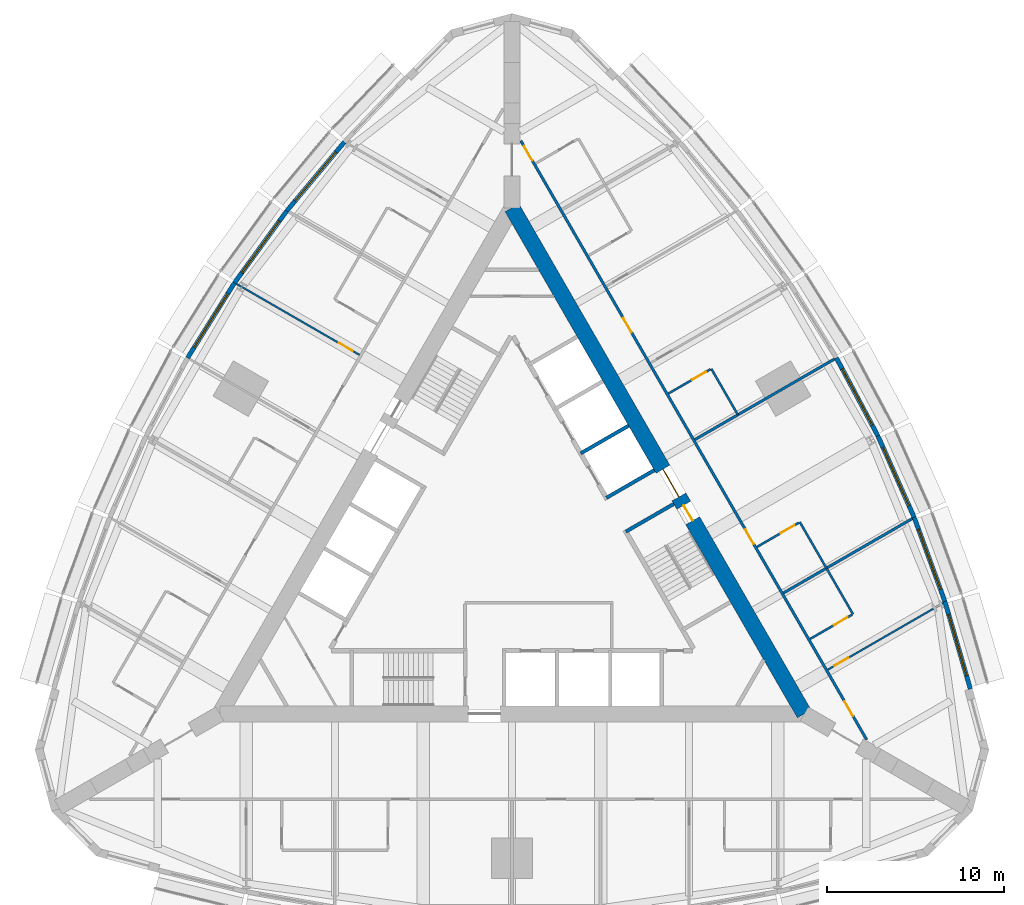
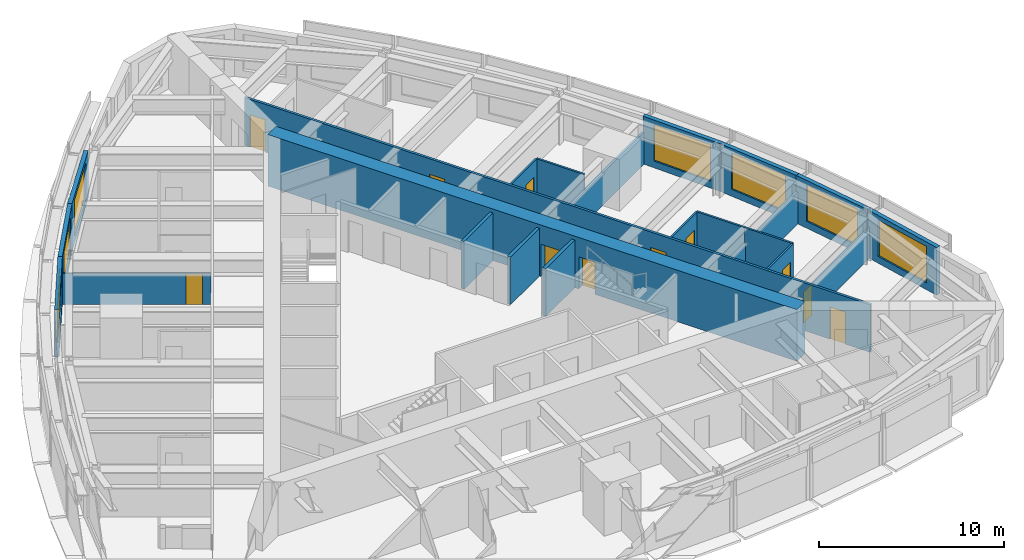
# One storey, part 12 of 15: 22 walls, 11 doors, 7 windows, 18 openings.
"""IFC4 building model written with IfcOpenShell, lengths in metres."""

from ifc_helpers import new_model, si_unit, direction, frame, frame_2d, origin, place, context, subcontext, project, spatial, rectangle, extrude, material, layer, layer_set, type_object, element, fill, save


model = new_model("IFC4")

# Units and contexts
model_context = context("Model", 3, precision=1e-05, world=origin(), true_north=direction((0.0, 1.0)))
body_context = subcontext(model_context, "Body", "Model", "MODEL_VIEW")
ifc_project = project(units=[si_unit("LENGTHUNIT", "METRE"), si_unit("AREAUNIT", "SQUARE_METRE"), si_unit("VOLUMEUNIT", "CUBIC_METRE"), si_unit("PLANEANGLEUNIT", "RADIAN"), si_unit("MASSUNIT", "GRAM", prefix="KILO")], contexts=[model_context])

# Site, building, storey
site_placement = place(None, origin())
site = spatial("IfcSite", under=ifc_project, at=site_placement, CompositionType="ELEMENT")
building_placement = place(site_placement, origin())
building = spatial("IfcBuilding", under=site, at=building_placement, Name="Trikona Tower", CompositionType="ELEMENT")
storey_placement = place(building_placement, frame((0.0, 0.0, 186.10009765625)))
storey = spatial("IfcBuildingStorey", under=building, at=storey_placement, Name="L50", CompositionType="ELEMENT", Elevation=186.10009765625)

# Wall
ifc_material_1 = material(Name="Metal stud and cement board", Category="gypsum")
ifc_layer_1 = layer(ifc_material_1, 0.1201171875)
ifc_layer_set_1 = layer_set([ifc_layer_1], Name="Bathroom wall 120")
wall_type_1 = type_object("IfcWallType", Name="Bathroom wall 120", PredefinedType="PLUMBINGWALL", material=ifc_layer_set_1)
wall_1_placement = place(storey_placement, frame((19.25341796875, -3.895263671875, 0.0), z_axis=(0.0, 0.0, 1.0), x_axis=(-0.499990139034, 0.866031096941, 0.0)))
element("IfcWall", 1, at=wall_1_placement, inside=storey, type_object=wall_type_1, Name="Bathroom wall 5005.1", PredefinedType="PLUMBINGWALL", context=body_context, shape_type="SweptSolid", body=[
    extrude(rectangle(XDim=3.0, YDim=0.1201171875, at=frame_2d((1.5, 0.0))), origin(), (0.0, 0.0, 1.0), 3.14990234375),
])

# Wall, opening, door
wall_2_placement = place(storey_placement, frame((16.82861328125, -5.295166015625, 0.0), z_axis=(0.0, 0.0, 1.0), x_axis=(0.866035715982, 0.499982138324, 0.0)))
wall_2 = element("IfcWall", 2, at=wall_2_placement, inside=storey, type_object=wall_type_1, Name="Bathroom wall 5005.1", PredefinedType="PLUMBINGWALL", context=body_context, shape_type="SweptSolid", body=[
    extrude(rectangle(XDim=2.73974609375, YDim=0.1201171875, at=frame_2d((1.369873046875, 0.0))), origin(), (0.0, 0.0, 1.0), 3.14990234375),
])
opening_1_placement = place(wall_2_placement, frame((1.550048828125, 0.0, 0.0)))
opening_1 = element("IfcOpeningElement", 3, at=opening_1_placement, cuts=wall_2, Name="Opening D2", PredefinedType="OPENING", context=body_context, shape_type="SweptSolid", body=[
    extrude(rectangle(XDim=0.89990234375, YDim=2.1298828125, at=frame_2d((0.449951171875, 1.06494140625))), frame((0.0, 0.070068359375, 0.0), z_axis=(0.0, -1.0, 0.0), x_axis=(1.0, 0.0, 0.0)), (0.0, 0.0, 1.0), 0.14013671875),
])
ifc_material_2 = material(Name="Steel door frame with solid-core timber leaf", Category="steel")
door_type_1 = type_object("IfcDoorType", Name="Bathroom door 900x2130", OperationType="SLIDING_TO_LEFT", PredefinedType="DOOR", material=ifc_material_2)
door_1_placement = place(opening_1_placement, origin())
door_1 = element("IfcDoor", 4, at=door_1_placement, inside=storey, type_object=door_type_1, Name="Bathroom door 5005.1", OperationType="SLIDING_TO_LEFT", OverallHeight=2.1298828125, OverallWidth=0.89990234375, PredefinedType="DOOR", context=body_context, shape_type="SweptSolid", body=[
    extrude(rectangle(XDim=0.89990234375, YDim=2.1298828125, at=frame_2d((0.449951171875, 1.06494140625))), frame((0.0, 0.02490234375, 0.0), z_axis=(0.0, -1.0, 0.0), x_axis=(1.0, 0.0, 0.0)), (0.0, 0.0, 1.0), 0.050048828125),
])
fill(opening_1, door_1)

# Wall
wall_3_placement = place(storey_placement, frame((17.75341796875, -1.297119140625, 0.0), z_axis=(0.0, 0.0, 1.0), x_axis=(-0.499990139034, 0.866031096941, 0.0)))
element("IfcWall", 5, at=wall_3_placement, inside=storey, type_object=wall_type_1, Name="Bathroom wall 5006", PredefinedType="PLUMBINGWALL", context=body_context, shape_type="SweptSolid", body=[
    extrude(rectangle(XDim=3.0, YDim=0.1201171875, at=frame_2d((1.5, 0.0))), origin(), (0.0, 0.0, 1.0), 3.14990234375),
])

# Wall, opening, door
wall_4_placement = place(storey_placement, frame((13.82861328125, -0.09912109375, 0.0), z_axis=(0.0, 0.0, 1.0), x_axis=(0.865997131366, 0.500048966069, 0.0)))
wall_4 = element("IfcWall", 6, at=wall_4_placement, inside=storey, type_object=wall_type_1, Name="Bathroom wall 5006", PredefinedType="PLUMBINGWALL", context=body_context, shape_type="SweptSolid", body=[
    extrude(rectangle(XDim=2.739990234375, YDim=0.1201171875, at=frame_2d((1.3701171875, 0.0))), origin(), (0.0, 0.0, 1.0), 3.14990234375),
])
opening_2_placement = place(wall_4_placement, frame((1.550048828125, 0.0, 0.0)))
opening_2 = element("IfcOpeningElement", 7, at=opening_2_placement, cuts=wall_4, Name="Opening D2", PredefinedType="OPENING", context=body_context, shape_type="SweptSolid", body=[
    extrude(rectangle(XDim=0.89990234375, YDim=2.1298828125, at=frame_2d((0.449951171875, 1.06494140625))), frame((0.0, 0.070068359375, 0.0), z_axis=(0.0, -1.0, 0.0), x_axis=(1.0, 0.0, 0.0)), (0.0, 0.0, 1.0), 0.14013671875),
])
door_2_placement = place(opening_2_placement, origin())
door_2 = element("IfcDoor", 8, at=door_2_placement, inside=storey, type_object=door_type_1, Name="Bathroom door 5006", OperationType="SLIDING_TO_LEFT", OverallHeight=2.1298828125, OverallWidth=0.89990234375, PredefinedType="DOOR", context=body_context, shape_type="SweptSolid", body=[
    extrude(rectangle(XDim=0.89990234375, YDim=2.1298828125, at=frame_2d((0.449951171875, 1.06494140625))), frame((0.0, 0.02490234375, 0.0), z_axis=(0.0, -1.0, 0.0), x_axis=(1.0, 0.0, 0.0)), (0.0, 0.0, 1.0), 0.050048828125),
])
fill(opening_2, door_2)

# Wall
wall_5_placement = place(storey_placement, frame((12.75341796875, 7.363037109375, 0.0), z_axis=(0.0, 0.0, 1.0), x_axis=(-0.499990139034, 0.866031096941, 0.0)))
element("IfcWall", 9, at=wall_5_placement, inside=storey, type_object=wall_type_1, Name="Bathroom wall 5007.1", PredefinedType="PLUMBINGWALL", context=body_context, shape_type="SweptSolid", body=[
    extrude(rectangle(XDim=3.0, YDim=0.1201171875, at=frame_2d((1.5, 0.0))), origin(), (0.0, 0.0, 1.0), 3.14990234375),
])

# Wall, opening, door
wall_6_placement = place(storey_placement, frame((8.82861328125, 8.561279296875, 0.0), z_axis=(0.0, 0.0, 1.0), x_axis=(0.866035715982, 0.499982138324, 0.0)))
wall_6 = element("IfcWall", 10, at=wall_6_placement, inside=storey, type_object=wall_type_1, Name="Bathroom wall 5007.1", PredefinedType="PLUMBINGWALL", context=body_context, shape_type="SweptSolid", body=[
    extrude(rectangle(XDim=2.73974609375, YDim=0.1201171875, at=frame_2d((1.369873046875, 0.0))), origin(), (0.0, 0.0, 1.0), 3.14990234375),
])
opening_3_placement = place(wall_6_placement, frame((1.550048828125, 0.0, 0.0)))
opening_3 = element("IfcOpeningElement", 11, at=opening_3_placement, cuts=wall_6, Name="Opening D2", PredefinedType="OPENING", context=body_context, shape_type="SweptSolid", body=[
    extrude(rectangle(XDim=0.89990234375, YDim=2.1298828125, at=frame_2d((0.449951171875, 1.06494140625))), frame((0.0, 0.070068359375, 0.0), z_axis=(0.0, -1.0, 0.0), x_axis=(1.0, 0.0, 0.0)), (0.0, 0.0, 1.0), 0.14013671875),
])
door_3_placement = place(opening_3_placement, origin())
door_3 = element("IfcDoor", 12, at=door_3_placement, inside=storey, type_object=door_type_1, Name="Bathroom door 5007.1", OperationType="SLIDING_TO_LEFT", OverallHeight=2.1298828125, OverallWidth=0.89990234375, PredefinedType="DOOR", context=body_context, shape_type="SweptSolid", body=[
    extrude(rectangle(XDim=0.89990234375, YDim=2.1298828125, at=frame_2d((0.449951171875, 1.06494140625))), frame((0.0, 0.02490234375, 0.0), z_axis=(0.0, -1.0, 0.0), x_axis=(1.0, 0.0, 0.0)), (0.0, 0.0, 1.0), 0.050048828125),
])
fill(opening_3, door_3)

# Wall, openings, doors
ifc_material_3 = material(Name="Concrete f'c 10000 psi", Category="concrete")
ifc_layer_2 = layer(ifc_material_3, 0.89990234375)
ifc_layer_set_2 = layer_set([ifc_layer_2], Name="Core wall 900")
wall_type_2 = type_object("IfcWallType", Name="Core wall 900", PredefinedType="SHEAR", material=ifc_layer_set_2)
wall_7_placement = place(storey_placement, frame((16.5, -9.5263671875, 0.0), z_axis=(0.0, 0.0, 1.0), x_axis=(-0.499999749417, 0.866025548458, 0.0)))
wall_7 = element("IfcWall", 13, at=wall_7_placement, inside=storey, type_object=wall_type_2, Name="Core wall B", PredefinedType="SHEAR", context=body_context, shape_type="SweptSolid", body=[
    extrude(rectangle(XDim=33.0, YDim=0.89990234375, at=frame_2d((16.5, 0.0))), origin(), (0.0, 0.0, 1.0), 3.39990234375),
])
opening_4_placement = place(wall_7_placement, frame((14.14990234375, 0.0, 0.0)))
opening_4 = element("IfcOpeningElement", 14, at=opening_4_placement, cuts=wall_7, Name="Opening D6", PredefinedType="OPENING", context=body_context, shape_type="SweptSolid", body=[
    extrude(rectangle(XDim=1.800048828125, YDim=2.1298828125, at=frame_2d((0.89990234375, 1.06494140625))), frame((0.0, 0.4599609375, 0.0), z_axis=(0.0, -1.0, 0.0), x_axis=(1.0, 0.0, 0.0)), (0.0, 0.0, 1.0), 0.919921875),
])
opening_5_placement = place(wall_7_placement, frame((12.60009765625, 0.0, 0.0)))
opening_5 = element("IfcOpeningElement", 15, at=opening_5_placement, cuts=wall_7, Name="Opening D5", PredefinedType="OPENING", context=body_context, shape_type="SweptSolid", body=[
    extrude(rectangle(XDim=1.0, YDim=2.1298828125, at=frame_2d((0.5, 1.06494140625))), frame((0.0, 0.4599609375, 0.0), z_axis=(0.0, -1.0, 0.0), x_axis=(1.0, 0.0, 0.0)), (0.0, 0.0, 1.0), 0.919921875),
])
ifc_material_4 = material(Name="Hollow metal door and frame", Category="steel")
door_type_2 = type_object("IfcDoorType", Name="Lobby door pair 1800x2130", OperationType="DOUBLE_DOOR_SINGLE_SWING", PredefinedType="DOOR", material=ifc_material_4)
door_4_placement = place(opening_4_placement, origin())
door_4 = element("IfcDoor", 16, at=door_4_placement, inside=storey, type_object=door_type_2, Name="Lift lobby door B", OperationType="DOUBLE_DOOR_SINGLE_SWING", OverallHeight=2.1298828125, OverallWidth=1.800048828125, PredefinedType="DOOR", context=body_context, shape_type="SweptSolid", body=[
    extrude(rectangle(XDim=1.800048828125, YDim=2.1298828125, at=frame_2d((0.89990234375, 1.06494140625))), frame((0.0, 0.02490234375, 0.0), z_axis=(0.0, -1.0, 0.0), x_axis=(1.0, 0.0, 0.0)), (0.0, 0.0, 1.0), 0.050048828125),
])
fill(opening_4, door_4)
ifc_material_5 = material(Name="Hollow metal door and frame", Category="steel")
door_type_3 = type_object("IfcDoorType", Name="Stair door 1000x2130", OperationType="SINGLE_SWING_LEFT", PredefinedType="DOOR", material=ifc_material_5)
door_5_placement = place(opening_5_placement, origin())
door_5 = element("IfcDoor", 17, at=door_5_placement, inside=storey, type_object=door_type_3, Name="Stair B door", OperationType="SINGLE_SWING_RIGHT", OverallHeight=2.1298828125, OverallWidth=1.0, PredefinedType="DOOR", context=body_context, shape_type="SweptSolid", body=[
    extrude(rectangle(XDim=1.0, YDim=2.1298828125, at=frame_2d((0.5, 1.06494140625))), frame((0.0, 0.02490234375, 0.0), z_axis=(0.0, -1.0, 0.0), x_axis=(1.0, 0.0, 0.0)), (0.0, 0.0, 1.0), 0.050048828125),
])
fill(opening_5, door_5)

ifc_material_6 = material(Name="Metal stud and gypsum board, 1-hour", Category="gypsum")
ifc_layer_3 = layer(ifc_material_6, 0.14990234375)
ifc_layer_set_3 = layer_set([ifc_layer_3], Name="Corridor wall 150")
wall_type_3 = type_object("IfcWallType", Name="Corridor wall 150", PredefinedType="PARTITIONING", material=ifc_layer_set_3)
wall_8_placement = place(storey_placement, frame((20.027099609375, -10.9853515625, 0.0), z_axis=(0.0, 0.0, 1.0), x_axis=(-0.500001677587, 0.866024435227, 0.0)))
wall_8 = element("IfcWall", 18, at=wall_8_placement, inside=storey, type_object=wall_type_3, Name="Corridor wall L50-2", PredefinedType="PARTITIONING", context=body_context, shape_type="SweptSolid", body=[
    extrude(rectangle(XDim=39.053955078125, YDim=0.14990234375, at=frame_2d((19.52685546875, 0.0))), origin(), (0.0, 0.0, 1.0), 3.14990234375),
])
opening_6_placement = place(wall_8_placement, frame((1.558349609375, 0.0, 0.0)))
opening_6 = element("IfcOpeningElement", 19, at=opening_6_placement, cuts=wall_8, Name="Opening D1", PredefinedType="OPENING", context=body_context, shape_type="SweptSolid", body=[
    extrude(rectangle(XDim=0.949951171875, YDim=2.1298828125, at=frame_2d((0.47509765625, 1.06494140625))), frame((0.0, 0.0849609375, 0.0), z_axis=(0.0, -1.0, 0.0), x_axis=(1.0, 0.0, 0.0)), (0.0, 0.0, 1.0), 0.169921875),
])
opening_7_placement = place(wall_8_placement, frame((12.751953125, 0.0, 0.0)))
opening_7 = element("IfcOpeningElement", 20, at=opening_7_placement, cuts=wall_8, Name="Opening D1", PredefinedType="OPENING", context=body_context, shape_type="SweptSolid", body=[
    extrude(rectangle(XDim=0.949951171875, YDim=2.1298828125, at=frame_2d((0.47509765625, 1.06494140625))), frame((0.0, 0.0849609375, 0.0), z_axis=(0.0, -1.0, 0.0), x_axis=(1.0, 0.0, 0.0)), (0.0, 0.0, 1.0), 0.169921875),
])
opening_8_placement = place(wall_8_placement, frame((26.552001953125, 0.0, 0.0)))
opening_8 = element("IfcOpeningElement", 21, at=opening_8_placement, cuts=wall_8, Name="Opening D1", PredefinedType="OPENING", context=body_context, shape_type="SweptSolid", body=[
    extrude(rectangle(XDim=0.949951171875, YDim=2.1298828125, at=frame_2d((0.47509765625, 1.06494140625))), frame((0.0, 0.0849609375, 0.0), z_axis=(0.0, -1.0, 0.0), x_axis=(1.0, 0.0, 0.0)), (0.0, 0.0, 1.0), 0.169921875),
])
opening_9_placement = place(wall_8_placement, frame((37.751953125, 0.0, 0.0)))
opening_9 = element("IfcOpeningElement", 22, at=opening_9_placement, cuts=wall_8, Name="Opening D1", PredefinedType="OPENING", context=body_context, shape_type="SweptSolid", body=[
    extrude(rectangle(XDim=0.949951171875, YDim=2.1298828125, at=frame_2d((0.47509765625, 1.06494140625))), frame((0.0, 0.0849609375, 0.0), z_axis=(0.0, -1.0, 0.0), x_axis=(1.0, 0.0, 0.0)), (0.0, 0.0, 1.0), 0.169921875),
])
ifc_material_7 = material(Name="Steel door frame with solid-core timber leaf", Category="steel")
door_type_4 = type_object("IfcDoorType", Name="Guest room door 950x2130", OperationType="SINGLE_SWING_LEFT", PredefinedType="DOOR", material=ifc_material_7)
door_6_placement = place(opening_6_placement, origin())
door_6 = element("IfcDoor", 23, at=door_6_placement, inside=storey, type_object=door_type_4, Name="Room door 5005", OperationType="SINGLE_SWING_LEFT", OverallHeight=2.1298828125, OverallWidth=0.949951171875, PredefinedType="DOOR", context=body_context, shape_type="SweptSolid", body=[
    extrude(rectangle(XDim=0.949951171875, YDim=2.1298828125, at=frame_2d((0.47509765625, 1.06494140625))), frame((0.0, 0.02490234375, 0.0), z_axis=(0.0, -1.0, 0.0), x_axis=(1.0, 0.0, 0.0)), (0.0, 0.0, 1.0), 0.050048828125),
])
fill(opening_6, door_6)
door_7_placement = place(opening_7_placement, origin())
door_7 = element("IfcDoor", 24, at=door_7_placement, inside=storey, type_object=door_type_4, Name="Room door 5006", OperationType="SINGLE_SWING_RIGHT", OverallHeight=2.1298828125, OverallWidth=0.949951171875, PredefinedType="DOOR", context=body_context, shape_type="SweptSolid", body=[
    extrude(rectangle(XDim=0.949951171875, YDim=2.1298828125, at=frame_2d((0.47509765625, 1.06494140625))), frame((0.0, 0.02490234375, 0.0), z_axis=(0.0, -1.0, 0.0), x_axis=(1.0, 0.0, 0.0)), (0.0, 0.0, 1.0), 0.050048828125),
])
fill(opening_7, door_7)
door_8_placement = place(opening_8_placement, origin())
door_8 = element("IfcDoor", 25, at=door_8_placement, inside=storey, type_object=door_type_4, Name="Room door 5007", OperationType="SINGLE_SWING_LEFT", OverallHeight=2.1298828125, OverallWidth=0.949951171875, PredefinedType="DOOR", context=body_context, shape_type="SweptSolid", body=[
    extrude(rectangle(XDim=0.949951171875, YDim=2.1298828125, at=frame_2d((0.47509765625, 1.06494140625))), frame((0.0, 0.02490234375, 0.0), z_axis=(0.0, -1.0, 0.0), x_axis=(1.0, 0.0, 0.0)), (0.0, 0.0, 1.0), 0.050048828125),
])
fill(opening_8, door_8)
door_9_placement = place(opening_9_placement, origin())
door_9 = element("IfcDoor", 26, at=door_9_placement, inside=storey, type_object=door_type_4, Name="Room door 5008", OperationType="SINGLE_SWING_RIGHT", OverallHeight=2.1298828125, OverallWidth=0.949951171875, PredefinedType="DOOR", context=body_context, shape_type="SweptSolid", body=[
    extrude(rectangle(XDim=0.949951171875, YDim=2.1298828125, at=frame_2d((0.47509765625, 1.06494140625))), frame((0.0, 0.02490234375, 0.0), z_axis=(0.0, -1.0, 0.0), x_axis=(1.0, 0.0, 0.0)), (0.0, 0.0, 1.0), 0.050048828125),
])
fill(opening_9, door_9)

# Wall, opening, window
ifc_material_8 = material(Name="Insulated precast concrete spandrel panel", Category="concrete")
ifc_layer_4 = layer(ifc_material_8, 0.25)
ifc_layer_set_4 = layer_set([ifc_layer_4], Name="Inner skin wall 250")
wall_type_4 = type_object("IfcWallType", Name="Inner skin wall 250", PredefinedType="STANDARD", material=ifc_layer_set_4)
wall_9_placement = place(storey_placement, frame((25.8798828125, -8.117919921875, 0.0), z_axis=(0.0, 0.0, 1.0), x_axis=(-0.279528287117, 0.960137457191, 0.0)))
wall_9 = element("IfcWall", 27, at=wall_9_placement, inside=storey, type_object=wall_type_4, Name="External wall L50-12", PredefinedType="STANDARD", context=body_context, shape_type="SweptSolid", body=[
    extrude(rectangle(XDim=5.14794921875, YDim=0.25, at=frame_2d((2.573974609375, 0.0))), origin(), (0.0, 0.0, 1.0), 3.14990234375),
])
opening_10_placement = place(wall_9_placement, frame((0.77392578125, 0.0, 0.449951171875)))
opening_10 = element("IfcOpeningElement", 28, at=opening_10_placement, cuts=wall_9, Name="Opening W3624", PredefinedType="OPENING", context=body_context, shape_type="SweptSolid", body=[
    extrude(rectangle(XDim=3.60009765625, YDim=2.39990234375, at=frame_2d((1.800048828125, 1.199951171875))), frame((0.0, 0.135009765625, 0.0), z_axis=(0.0, -1.0, 0.0), x_axis=(1.0, 0.0, 0.0)), (0.0, 0.0, 1.0), 0.27001953125),
])
ifc_material_9 = material(Name="Aluminium-framed double glazing", Category="aluminium")
window_type = type_object("IfcWindowType", Name="Window 3600x2400", PartitioningType="SINGLE_PANEL", PredefinedType="WINDOW", material=ifc_material_9)
window_1_placement = place(opening_10_placement, origin())
window_1 = element("IfcWindow", 29, at=window_1_placement, inside=storey, type_object=window_type, Name="Window 5005", OverallHeight=2.39990234375, OverallWidth=3.60009765625, PartitioningType="SINGLE_PANEL", PredefinedType="WINDOW", context=body_context, shape_type="SweptSolid", body=[
    extrude(rectangle(XDim=3.60009765625, YDim=2.39990234375, at=frame_2d((1.800048828125, 1.199951171875))), frame((0.0, 0.030029296875, 0.0), z_axis=(0.0, -1.0, 0.0), x_axis=(1.0, 0.0, 0.0)), (0.0, 0.0, 1.0), 0.06005859375),
])
fill(opening_10, window_1)

wall_10_placement = place(storey_placement, frame((24.443603515625, -3.18310546875, 0.0), z_axis=(0.0, 0.0, 1.0), x_axis=(-0.343225593282, 0.939252996863, 0.0)))
wall_10 = element("IfcWall", 30, at=wall_10_placement, inside=storey, type_object=wall_type_4, Name="External wall L50-13", PredefinedType="STANDARD", context=body_context, shape_type="SweptSolid", body=[
    extrude(rectangle(XDim=5.075927734375, YDim=0.25, at=frame_2d((2.5380859375, 0.0))), origin(), (0.0, 0.0, 1.0), 3.14990234375),
])
opening_11_placement = place(wall_10_placement, frame((0.738037109375, 0.0, 0.449951171875)))
opening_11 = element("IfcOpeningElement", 31, at=opening_11_placement, cuts=wall_10, Name="Opening W3624", PredefinedType="OPENING", context=body_context, shape_type="SweptSolid", body=[
    extrude(rectangle(XDim=3.60009765625, YDim=2.39990234375, at=frame_2d((1.800048828125, 1.199951171875))), frame((0.0, 0.135009765625, 0.0), z_axis=(0.0, -1.0, 0.0), x_axis=(1.0, 0.0, 0.0)), (0.0, 0.0, 1.0), 0.27001953125),
])
window_2_placement = place(opening_11_placement, origin())
window_2 = element("IfcWindow", 32, at=window_2_placement, inside=storey, type_object=window_type, Name="Window 5005.1", OverallHeight=2.39990234375, OverallWidth=3.60009765625, PartitioningType="SINGLE_PANEL", PredefinedType="WINDOW", context=body_context, shape_type="SweptSolid", body=[
    extrude(rectangle(XDim=3.60009765625, YDim=2.39990234375, at=frame_2d((1.800048828125, 1.199951171875))), frame((0.0, 0.030029296875, 0.0), z_axis=(0.0, -1.0, 0.0), x_axis=(1.0, 0.0, 0.0)), (0.0, 0.0, 1.0), 0.06005859375),
])
fill(opening_11, window_2)

wall_11_placement = place(storey_placement, frame((22.70458984375, 1.576416015625, 0.0), z_axis=(0.0, 0.0, 1.0), x_axis=(-0.406832200364, 0.913502906808, 0.0)))
wall_11 = element("IfcWall", 33, at=wall_11_placement, inside=storey, type_object=wall_type_4, Name="External wall L50-14", PredefinedType="STANDARD", context=body_context, shape_type="SweptSolid", body=[
    extrude(rectangle(XDim=5.027587890625, YDim=0.25, at=frame_2d((2.513671875, 0.0))), origin(), (0.0, 0.0, 1.0), 3.14990234375),
])
opening_12_placement = place(wall_11_placement, frame((0.713623046875, 0.0, 0.449951171875)))
opening_12 = element("IfcOpeningElement", 34, at=opening_12_placement, cuts=wall_11, Name="Opening W3624", PredefinedType="OPENING", context=body_context, shape_type="SweptSolid", body=[
    extrude(rectangle(XDim=3.60009765625, YDim=2.39990234375, at=frame_2d((1.800048828125, 1.199951171875))), frame((0.0, 0.135009765625, 0.0), z_axis=(0.0, -1.0, 0.0), x_axis=(1.0, 0.0, 0.0)), (0.0, 0.0, 1.0), 0.27001953125),
])
window_3_placement = place(opening_12_placement, origin())
window_3 = element("IfcWindow", 35, at=window_3_placement, inside=storey, type_object=window_type, Name="Window 5006", OverallHeight=2.39990234375, OverallWidth=3.60009765625, PartitioningType="SINGLE_PANEL", PredefinedType="WINDOW", context=body_context, shape_type="SweptSolid", body=[
    extrude(rectangle(XDim=3.60009765625, YDim=2.39990234375, at=frame_2d((1.800048828125, 1.199951171875))), frame((0.0, 0.030029296875, 0.0), z_axis=(0.0, -1.0, 0.0), x_axis=(1.0, 0.0, 0.0)), (0.0, 0.0, 1.0), 0.06005859375),
])
fill(opening_12, window_3)

wall_12_placement = place(storey_placement, frame((20.662841796875, 6.161376953125, 0.0), z_axis=(0.0, 0.0, 1.0), x_axis=(-0.469404966864, 0.882982999317, 0.0)))
wall_12 = element("IfcWall", 36, at=wall_12_placement, inside=storey, type_object=wall_type_4, Name="External wall L50-15", PredefinedType="STANDARD", context=body_context, shape_type="SweptSolid", body=[
    extrude(rectangle(XDim=5.0029296875, YDim=0.25, at=frame_2d((2.50146484375, 0.0))), origin(), (0.0, 0.0, 1.0), 3.14990234375),
])
opening_13_placement = place(wall_12_placement, frame((0.701416015625, 0.0, 0.449951171875)))
opening_13 = element("IfcOpeningElement", 37, at=opening_13_placement, cuts=wall_12, Name="Opening W3624", PredefinedType="OPENING", context=body_context, shape_type="SweptSolid", body=[
    extrude(rectangle(XDim=3.60009765625, YDim=2.39990234375, at=frame_2d((1.800048828125, 1.199951171875))), frame((0.0, 0.135009765625, 0.0), z_axis=(0.0, -1.0, 0.0), x_axis=(1.0, 0.0, 0.0)), (0.0, 0.0, 1.0), 0.27001953125),
])
window_4_placement = place(opening_13_placement, origin())
window_4 = element("IfcWindow", 38, at=window_4_placement, inside=storey, type_object=window_type, Name="Window 5006", OverallHeight=2.39990234375, OverallWidth=3.60009765625, PartitioningType="SINGLE_PANEL", PredefinedType="WINDOW", context=body_context, shape_type="SweptSolid", body=[
    extrude(rectangle(XDim=3.60009765625, YDim=2.39990234375, at=frame_2d((1.800048828125, 1.199951171875))), frame((0.0, 0.030029296875, 0.0), z_axis=(0.0, -1.0, 0.0), x_axis=(1.0, 0.0, 0.0)), (0.0, 0.0, 1.0), 0.06005859375),
])
fill(opening_13, window_4)

wall_13_placement = place(storey_placement, frame((-9.465087890625, 22.76025390625, 0.0), z_axis=(0.0, 0.0, 1.0), x_axis=(-0.641810386606, -0.766863369607, 0.0)))
wall_13 = element("IfcWall", 39, at=wall_13_placement, inside=storey, type_object=wall_type_4, Name="External wall L50-25", PredefinedType="STANDARD", context=body_context, shape_type="SweptSolid", body=[
    extrude(rectangle(XDim=5.075927734375, YDim=0.25, at=frame_2d((2.5380859375, 0.0))), origin(), (0.0, 0.0, 1.0), 3.14990234375),
])
opening_14_placement = place(wall_13_placement, frame((0.738037109375, 0.0, 0.449951171875)))
opening_14 = element("IfcOpeningElement", 40, at=opening_14_placement, cuts=wall_13, Name="Opening W3624", PredefinedType="OPENING", context=body_context, shape_type="SweptSolid", body=[
    extrude(rectangle(XDim=3.60009765625, YDim=2.39990234375, at=frame_2d((1.800048828125, 1.199951171875))), frame((0.0, 0.135009765625, 0.0), z_axis=(0.0, -1.0, 0.0), x_axis=(1.0, 0.0, 0.0)), (0.0, 0.0, 1.0), 0.27001953125),
])
window_5_placement = place(opening_14_placement, origin())
window_5 = element("IfcWindow", 41, at=window_5_placement, inside=storey, type_object=window_type, Name="Window 5009.1", OverallHeight=2.39990234375, OverallWidth=3.60009765625, PartitioningType="SINGLE_PANEL", PredefinedType="WINDOW", context=body_context, shape_type="SweptSolid", body=[
    extrude(rectangle(XDim=3.60009765625, YDim=2.39990234375, at=frame_2d((1.800048828125, 1.199951171875))), frame((0.0, 0.030029296875, 0.0), z_axis=(0.0, -1.0, 0.0), x_axis=(1.0, 0.0, 0.0)), (0.0, 0.0, 1.0), 0.06005859375),
])
fill(opening_14, window_5)

wall_14_placement = place(storey_placement, frame((-12.717529296875, 18.87451171875, 0.0), z_axis=(0.0, 0.0, 1.0), x_axis=(-0.587669188412, -0.809101307001, 0.0)))
wall_14 = element("IfcWall", 42, at=wall_14_placement, inside=storey, type_object=wall_type_4, Name="External wall L50-26", PredefinedType="STANDARD", context=body_context, shape_type="SweptSolid", body=[
    extrude(rectangle(XDim=5.027587890625, YDim=0.25, at=frame_2d((2.513671875, 0.0))), origin(), (0.0, 0.0, 1.0), 3.14990234375),
])
opening_15_placement = place(wall_14_placement, frame((0.7138671875, 0.0, 0.449951171875)))
opening_15 = element("IfcOpeningElement", 43, at=opening_15_placement, cuts=wall_14, Name="Opening W3624", PredefinedType="OPENING", context=body_context, shape_type="SweptSolid", body=[
    extrude(rectangle(XDim=3.60009765625, YDim=2.39990234375, at=frame_2d((1.800048828125, 1.199951171875))), frame((0.0, 0.135009765625, 0.0), z_axis=(0.0, -1.0, 0.0), x_axis=(1.0, 0.0, 0.0)), (0.0, 0.0, 1.0), 0.27001953125),
])
window_6_placement = place(opening_15_placement, origin())
window_6 = element("IfcWindow", 44, at=window_6_placement, inside=storey, type_object=window_type, Name="Window 5010.1", OverallHeight=2.39990234375, OverallWidth=3.60009765625, PartitioningType="SINGLE_PANEL", PredefinedType="WINDOW", context=body_context, shape_type="SweptSolid", body=[
    extrude(rectangle(XDim=3.60009765625, YDim=2.39990234375, at=frame_2d((1.800048828125, 1.199951171875))), frame((0.0, 0.030029296875, 0.0), z_axis=(0.0, -1.0, 0.0), x_axis=(1.0, 0.0, 0.0)), (0.0, 0.0, 1.0), 0.06005859375),
])
fill(opening_15, window_6)

wall_15_placement = place(storey_placement, frame((-15.667236328125, 14.81396484375, 0.0), z_axis=(0.0, 0.0, 1.0), x_axis=(-0.529990167382, -0.84800378683, 0.0)))
wall_15 = element("IfcWall", 45, at=wall_15_placement, inside=storey, type_object=wall_type_4, Name="External wall L50-27", PredefinedType="STANDARD", context=body_context, shape_type="SweptSolid", body=[
    extrude(rectangle(XDim=5.003173828125, YDim=0.25, at=frame_2d((2.50146484375, 0.0))), origin(), (0.0, 0.0, 1.0), 3.14990234375),
])
opening_16_placement = place(wall_15_placement, frame((0.701416015625, 0.0, 0.449951171875)))
opening_16 = element("IfcOpeningElement", 46, at=opening_16_placement, cuts=wall_15, Name="Opening W3624", PredefinedType="OPENING", context=body_context, shape_type="SweptSolid", body=[
    extrude(rectangle(XDim=3.60009765625, YDim=2.39990234375, at=frame_2d((1.800048828125, 1.199951171875))), frame((0.0, 0.135009765625, 0.0), z_axis=(0.0, -1.0, 0.0), x_axis=(1.0, 0.0, 0.0)), (0.0, 0.0, 1.0), 0.27001953125),
])
window_7_placement = place(opening_16_placement, origin())
window_7 = element("IfcWindow", 47, at=window_7_placement, inside=storey, type_object=window_type, Name="Window 5010", OverallHeight=2.39990234375, OverallWidth=3.60009765625, PartitioningType="SINGLE_PANEL", PredefinedType="WINDOW", context=body_context, shape_type="SweptSolid", body=[
    extrude(rectangle(XDim=3.60009765625, YDim=2.39990234375, at=frame_2d((1.800048828125, 1.199951171875))), frame((0.0, 0.030029296875, 0.0), z_axis=(0.0, -1.0, 0.0), x_axis=(1.0, 0.0, 0.0)), (0.0, 0.0, 1.0), 0.06005859375),
])
fill(opening_16, window_7)

# Walls
ifc_material_10 = material(Name="Metal stud and gypsum board, 1-hour acoustic", Category="gypsum")
ifc_layer_5 = layer(ifc_material_10, 0.14990234375)
ifc_layer_set_5 = layer_set([ifc_layer_5], Name="Party wall 150")
wall_type_5 = type_object("IfcWallType", Name="Party wall 150", PredefinedType="PARTITIONING", material=ifc_layer_set_5)
wall_16_placement = place(storey_placement, frame((15.32861328125, -2.697021484375, 0.0), z_axis=(0.0, 0.0, 1.0), x_axis=(0.866024316602, 0.50000188305, 0.0)))
element("IfcWall", 48, at=wall_16_placement, inside=storey, type_object=wall_type_5, Name="Partition L50 F2 u-10", PredefinedType="PARTITIONING", context=body_context, shape_type="SweptSolid", body=[
    extrude(rectangle(XDim=8.39501953125, YDim=0.14990234375, at=frame_2d((4.197509765625, 0.0))), origin(), (0.0, 0.0, 1.0), 2.1083984375),
])
wall_17_placement = place(storey_placement, frame((10.32861328125, 5.963134765625, 0.0), z_axis=(0.0, 0.0, 1.0), x_axis=(0.866025170687, 0.500000403736, 0.0)))
element("IfcWall", 49, at=wall_17_placement, inside=storey, type_object=wall_type_5, Name="Partition L50 F2 u-4.44089e-15", PredefinedType="PARTITIONING", context=body_context, shape_type="SweptSolid", body=[
    extrude(rectangle(XDim=9.0986328125, YDim=0.14990234375, at=frame_2d((4.54931640625, 0.0))), origin(), (0.0, 0.0, 1.0), 2.1083984375),
])
ifc_material_11 = material(Name="Concrete f'c 8000 psi", Category="concrete")
ifc_layer_6 = layer(ifc_material_11, 0.199951171875)
ifc_layer_set_6 = layer_set([ifc_layer_6], Name="Shaft wall 200")
wall_type_6 = type_object("IfcWallType", Name="Shaft wall 200", PredefinedType="SOLIDWALL", material=ifc_layer_set_6)
for number, where, z_axis, x_axis, name in (
    (50, (5.3291015625, 2.672607421875, 0.0), (0.0, 0.0, 1.0), (0.866022959057, 0.500004234368, 0.0), "Shaft wall B3"),
    (51, (3.87890625, 5.18408203125, 0.0), (0.0, 0.0, 1.0), (0.866022959057, 0.500004234368, 0.0), "Shaft wall B4"),
):
    element("IfcWall", number, at=place(storey_placement, frame(where, z_axis=z_axis, x_axis=x_axis)), inside=storey, type_object=wall_type_6, Name=name, PredefinedType="SOLIDWALL", context=body_context, shape_type="SweptSolid", body=[
        extrude(rectangle(XDim=3.125, YDim=0.199951171875, at=frame_2d((1.5625, 0.0))), origin(), (0.0, 0.0, 1.0), 3.14990234375),
    ])
ifc_material_12 = material(Name="Concrete f'c 8000 psi", Category="concrete")
ifc_layer_7 = layer(ifc_material_12, 0.199951171875)
ifc_layer_set_7 = layer_set([ifc_layer_7], Name="Shaft wall 200 load-bearing")
wall_type_7 = type_object("IfcWallType", Name="Shaft wall 200 load-bearing", PredefinedType="SOLIDWALL", material=ifc_layer_set_7)
wall_18_placement = place(storey_placement, frame((6.428955078125, 0.767333984375, 0.0), z_axis=(0.0, 0.0, 1.0), x_axis=(0.866022959057, 0.500004234368, 0.0)))
element("IfcWall", 52, at=wall_18_placement, inside=storey, type_object=wall_type_7, Name="Shaft wall B2", PredefinedType="SOLIDWALL", context=body_context, shape_type="SweptSolid", body=[
    extrude(rectangle(XDim=3.125, YDim=0.199951171875, at=frame_2d((1.5625, 0.0))), origin(), (0.0, 0.0, 1.0), 3.14990234375),
])

# Wall, opening, door
ifc_material_13 = material(Name="Metal stud and gypsum board, acoustic", Category="gypsum")
ifc_layer_8 = layer(ifc_material_13, 0.10009765625)
ifc_layer_set_8 = layer_set([ifc_layer_8], Name="Suite partition 100")
wall_type_8 = type_object("IfcWallType", Name="Suite partition 100", PredefinedType="PARTITIONING", material=ifc_layer_set_8)
wall_19_placement = place(storey_placement, frame((17.82861328125, -7.027099609375, 0.0), z_axis=(0.0, 0.0, 1.0), x_axis=(0.866029804378, 0.499992377871, 0.0)))
wall_19 = element("IfcWall", 53, at=wall_19_placement, inside=storey, type_object=wall_type_8, Name="Suite partition L50 F2 u-15", PredefinedType="PARTITIONING", context=body_context, shape_type="SweptSolid", body=[
    extrude(rectangle(XDim=7.51611328125, YDim=0.10009765625, at=frame_2d((3.758056640625, 0.0))), origin(), (0.0, 0.0, 1.0), 2.0498046875),
])
opening_17_placement = place(wall_19_placement, frame((0.449951171875, 0.0, 0.0)))
opening_17 = element("IfcOpeningElement", 54, at=opening_17_placement, cuts=wall_19, Name="Opening D16", PredefinedType="OPENING", context=body_context, shape_type="SweptSolid", body=[
    extrude(rectangle(XDim=0.89990234375, YDim=2.031982421875, at=frame_2d((0.449951171875, 1.01611328125))), frame((0.0, 0.06005859375, 0.0), z_axis=(0.0, -1.0, 0.0), x_axis=(1.0, 0.0, 0.0)), (0.0, 0.0, 1.0), 0.1201171875),
])
ifc_material_14 = material(Name="Steel door frame with solid-core timber leaf", Category="steel")
door_type_5 = type_object("IfcDoorType", Name="Suite door 900x2032", OperationType="SINGLE_SWING_LEFT", PredefinedType="DOOR", material=ifc_material_14)
door_10_placement = place(opening_17_placement, origin())
door_10 = element("IfcDoor", 55, at=door_10_placement, inside=storey, type_object=door_type_5, Name="Suite door 5005", OperationType="SINGLE_SWING_LEFT", OverallHeight=2.031982421875, OverallWidth=0.89990234375, PredefinedType="DOOR", context=body_context, shape_type="SweptSolid", body=[
    extrude(rectangle(XDim=0.89990234375, YDim=2.031982421875, at=frame_2d((0.449951171875, 1.01611328125))), frame((0.0, 0.02490234375, 0.0), z_axis=(0.0, -1.0, 0.0), x_axis=(1.0, 0.0, 0.0)), (0.0, 0.0, 1.0), 0.050048828125),
])
fill(opening_17, door_10)

wall_20_placement = place(storey_placement, frame((-8.60791015625, 10.743408203125, 0.0), z_axis=(0.0, 0.0, 1.0), x_axis=(-0.866041663918, 0.499971835565, 0.0)))
wall_20 = element("IfcWall", 56, at=wall_20_placement, inside=storey, type_object=wall_type_8, Name="Suite partition L50 F3 u-5", PredefinedType="PARTITIONING", context=body_context, shape_type="SweptSolid", body=[
    extrude(rectangle(XDim=8.0224609375, YDim=0.10009765625, at=frame_2d((4.01123046875, 0.0))), origin(), (0.0, 0.0, 1.0), 2.0498046875),
])
opening_18_placement = place(wall_20_placement, frame((0.449951171875, 0.0, 0.0)))
opening_18 = element("IfcOpeningElement", 57, at=opening_18_placement, cuts=wall_20, Name="Opening D16", PredefinedType="OPENING", context=body_context, shape_type="SweptSolid", body=[
    extrude(rectangle(XDim=0.89990234375, YDim=2.031982421875, at=frame_2d((0.449951171875, 1.01611328125))), frame((0.0, 0.06005859375, 0.0), z_axis=(0.0, -1.0, 0.0), x_axis=(1.0, 0.0, 0.0)), (0.0, 0.0, 1.0), 0.1201171875),
])
door_11_placement = place(opening_18_placement, origin())
door_11 = element("IfcDoor", 58, at=door_11_placement, inside=storey, type_object=door_type_5, Name="Suite door 5010", OperationType="SINGLE_SWING_LEFT", OverallHeight=2.031982421875, OverallWidth=0.89990234375, PredefinedType="DOOR", context=body_context, shape_type="SweptSolid", body=[
    extrude(rectangle(XDim=0.89990234375, YDim=2.031982421875, at=frame_2d((0.449951171875, 1.01611328125))), frame((0.0, 0.02490234375, 0.0), z_axis=(0.0, -1.0, 0.0), x_axis=(1.0, 0.0, 0.0)), (0.0, 0.0, 1.0), 0.050048828125),
])
fill(opening_18, door_11)

save(model, "model.ifc")
